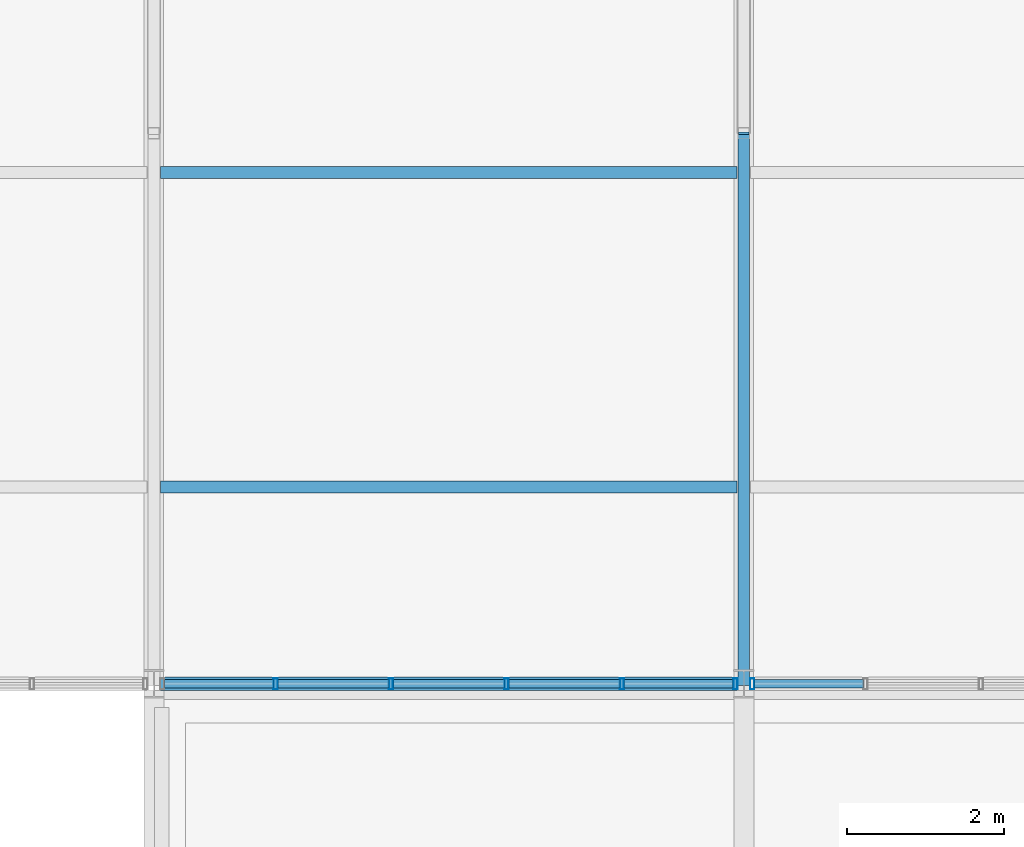
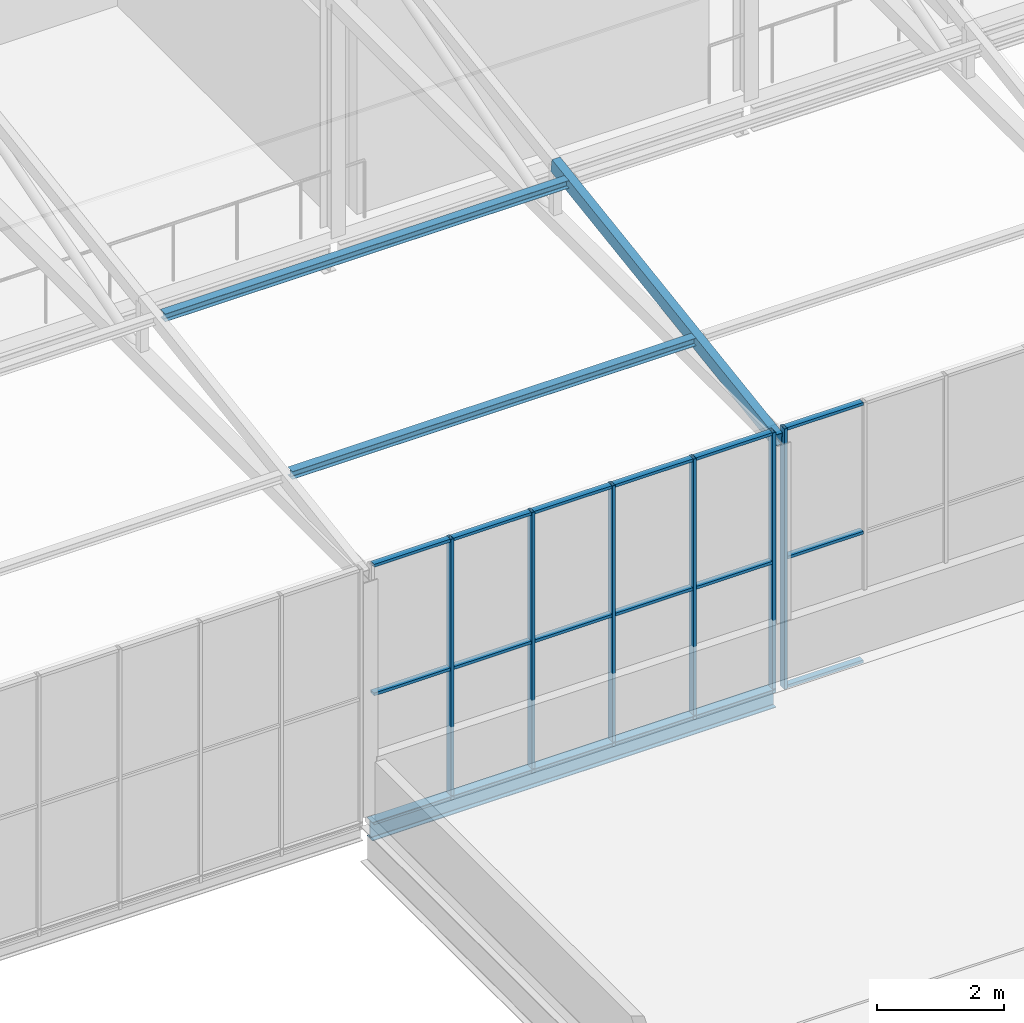
# One storey, part 47 of 104: 25 members, 3 beams, 2 elements without a shape of their own.
"""IFC4 building model written with IfcOpenShell, lengths in metres."""

from ifc_helpers import new_model, si_unit, direction, frame, origin, origin_2d, place, context, subcontext, project, spatial, hollow_rectangle, i_section, extrude, material, layer, layer_set, material_profile, profile_set, type_object, element, aggregate, save


model = new_model("IFC4")

# Units and contexts
model_context = context("Model", 3, precision=1e-05, world=origin(), true_north=direction((0.0, 1.0)))
body_context = subcontext(model_context, "Body", "Model", "MODEL_VIEW")
ifc_project = project(units=[si_unit("LENGTHUNIT", "METRE"), si_unit("AREAUNIT", "SQUARE_METRE"), si_unit("VOLUMEUNIT", "CUBIC_METRE"), si_unit("PLANEANGLEUNIT", "RADIAN"), si_unit("MASSUNIT", "GRAM", prefix="KILO")], contexts=[model_context])

# Site, building, storey
site_placement = place(None, origin())
site = spatial("IfcSite", under=ifc_project, at=site_placement, CompositionType="ELEMENT")
building_placement = place(site_placement, origin())
building = spatial("IfcBuilding", under=site, at=building_placement, Name="Solvenia Promenade Tram Depot", CompositionType="ELEMENT")
storey_placement = place(building_placement, frame((0.0, 0.0, 9.0)))
storey = spatial("IfcBuildingStorey", under=building, at=storey_placement, Name="L02", CompositionType="ELEMENT", Elevation=9.0)

# Curtain wall, members
ifc_material_1 = material(Name="Anodized aluminium AW-6063 T6", Category="aluminium")
ifc_layer = layer(ifc_material_1, 0.080078125, Name="Anodized aluminium AW-6063 T6", Category="aluminium")
ifc_layer_set = layer_set([ifc_layer], Name="Anodized aluminium AW-6063 T6")
curtain_wall_type = type_object("IfcCurtainWallType", Name="CW-Clerest-1500", PredefinedType="NOTDEFINED", material=ifc_layer_set)
curtain_wall_1_placement = place(storey_placement, origin())
curtain_wall_1 = element("IfcCurtainWall", 1, at=curtain_wall_1_placement, inside=storey, type_object=curtain_wall_type, Name="Curtain Wall CW-V2S-L2-05", PredefinedType="NOTDEFINED")
ifc_material_profile_1 = material_profile(ifc_material_1, hollow_rectangle(XDim=0.139892578125, YDim=0.054931640625, WallThickness=0.00390625, at=origin_2d()), Name="ALU-M4", Category="aluminium")
ifc_profile_set_1 = profile_set([ifc_material_profile_1], Name="Anodized aluminium AW-6063 T6")
member_type_1 = type_object("IfcMemberType", Name="CWM-Mullion-4", PredefinedType="MULLION", material=ifc_profile_set_1)
member_1_placement = place(storey_placement, frame((136.548095703125, 24.0, -0.300048828125), z_axis=(0.0, 0.0, 1.0), x_axis=(0.0, 1.0, 0.0)))
member_1 = element("IfcMember", 2, at=member_1_placement, type_object=member_type_1, Name="CW-4 mullion 2", PredefinedType="MULLION", context=body_context, shape_type="SweptSolid", body=[
    extrude(hollow_rectangle(XDim=0.139892578125, YDim=0.054931640625, WallThickness=0.00390625, at=origin_2d()), origin(), (0.0, 0.0, 1.0), 5.0),
])
member_2_placement = place(storey_placement, frame((138.01611328125, 24.0, -0.300048828125), z_axis=(0.0, 0.0, 1.0), x_axis=(0.0, 1.0, 0.0)))
member_2 = element("IfcMember", 3, at=member_2_placement, type_object=member_type_1, Name="CW-4 mullion 3", PredefinedType="MULLION", context=body_context, shape_type="SweptSolid", body=[
    extrude(hollow_rectangle(XDim=0.139892578125, YDim=0.054931640625, WallThickness=0.00390625, at=origin_2d()), origin(), (0.0, 0.0, 1.0), 5.0),
])
member_3_placement = place(storey_placement, frame((139.48388671875, 24.0, -0.300048828125), z_axis=(0.0, 0.0, 1.0), x_axis=(0.0, 1.0, 0.0)))
member_3 = element("IfcMember", 4, at=member_3_placement, type_object=member_type_1, Name="CW-4 mullion 4", PredefinedType="MULLION", context=body_context, shape_type="SweptSolid", body=[
    extrude(hollow_rectangle(XDim=0.139892578125, YDim=0.054931640625, WallThickness=0.00390625, at=origin_2d()), origin(), (0.0, 0.0, 1.0), 5.0),
])
member_4_placement = place(storey_placement, frame((140.951904296875, 24.0, -0.300048828125), z_axis=(0.0, 0.0, 1.0), x_axis=(0.0, 1.0, 0.0)))
member_4 = element("IfcMember", 5, at=member_4_placement, type_object=member_type_1, Name="CW-4 mullion 5", PredefinedType="MULLION", context=body_context, shape_type="SweptSolid", body=[
    extrude(hollow_rectangle(XDim=0.139892578125, YDim=0.054931640625, WallThickness=0.00390625, at=origin_2d()), origin(), (0.0, 0.0, 1.0), 5.0),
])
member_5_placement = place(storey_placement, frame((142.392578125, 24.0, -0.300048828125), z_axis=(0.0, 0.0, 1.0), x_axis=(0.0, 1.0, 0.0)))
member_5 = element("IfcMember", 6, at=member_5_placement, type_object=member_type_1, Name="CW-4 mullion 6", PredefinedType="MULLION", context=body_context, shape_type="SweptSolid", body=[
    extrude(hollow_rectangle(XDim=0.139892578125, YDim=0.054931640625, WallThickness=0.00390625, at=origin_2d()), origin(), (0.0, 0.0, 1.0), 5.0),
])

# Curtain wall, member
curtain_wall_2_placement = place(storey_placement, origin())
curtain_wall_2 = element("IfcCurtainWall", 7, at=curtain_wall_2_placement, inside=storey, type_object=curtain_wall_type, Name="Curtain Wall CW-V2S-L2-06", PredefinedType="NOTDEFINED")
member_6_placement = place(storey_placement, frame((142.607421875, 24.0, -0.300048828125), z_axis=(0.0, 0.0, 1.0), x_axis=(0.0, 1.0, 0.0)))
member_6 = element("IfcMember", 8, at=member_6_placement, type_object=member_type_1, Name="CW-4 mullion 1", PredefinedType="MULLION", context=body_context, shape_type="SweptSolid", body=[
    extrude(hollow_rectangle(XDim=0.139892578125, YDim=0.054931640625, WallThickness=0.00390625, at=origin_2d()), origin(), (0.0, 0.0, 1.0), 5.0),
])

# Member
ifc_material_profile_2 = material_profile(ifc_material_1, hollow_rectangle(XDim=0.110107421875, YDim=0.054931640625, WallThickness=0.00390625, at=origin_2d()), Name="ALU-T4", Category="aluminium")
ifc_profile_set_2 = profile_set([ifc_material_profile_2], Name="Anodized aluminium AW-6063 T6")
member_type_2 = type_object("IfcMemberType", Name="CWT-Transom-4", PredefinedType="USERDEFINED", material=ifc_profile_set_2)
member_7_placement = place(storey_placement, frame((135.135009765625, 24.0, -0.2724609375), z_axis=(1.0, 0.0, 0.0), x_axis=(0.0, 1.0, 0.0)))
member_7 = element("IfcMember", 9, at=member_7_placement, type_object=member_type_2, Name="CW-4 transom 1.1", ObjectType="TRANSOM", PredefinedType="USERDEFINED", context=body_context, shape_type="SweptSolid", body=[
    extrude(hollow_rectangle(XDim=0.110107421875, YDim=0.054931640625, WallThickness=0.00390625, at=origin_2d()), origin(), (0.0, 0.0, 1.0), 1.385498046875),
])

member_8_placement = place(storey_placement, frame((135.135009765625, 24.0, 2.199951171875), z_axis=(1.0, 0.0, 0.0), x_axis=(0.0, 1.0, 0.0)))
member_8 = element("IfcMember", 10, at=member_8_placement, type_object=member_type_2, Name="CW-4 transom 1.2", ObjectType="TRANSOM", PredefinedType="USERDEFINED", context=body_context, shape_type="SweptSolid", body=[
    extrude(hollow_rectangle(XDim=0.110107421875, YDim=0.054931640625, WallThickness=0.00390625, at=origin_2d()), origin(), (0.0, 0.0, 1.0), 1.385498046875),
])

member_9_placement = place(storey_placement, frame((135.135009765625, 24.0, 4.672607421875), z_axis=(1.0, 0.0, 0.0), x_axis=(0.0, 1.0, 0.0)))
member_9 = element("IfcMember", 11, at=member_9_placement, type_object=member_type_2, Name="CW-4 transom 1.3", ObjectType="TRANSOM", PredefinedType="USERDEFINED", context=body_context, shape_type="SweptSolid", body=[
    extrude(hollow_rectangle(XDim=0.110107421875, YDim=0.054931640625, WallThickness=0.00390625, at=origin_2d()), origin(), (0.0, 0.0, 1.0), 1.385498046875),
])

member_10_placement = place(storey_placement, frame((136.575439453125, 24.0, -0.2724609375), z_axis=(1.0, 0.0, 0.0), x_axis=(0.0, 1.0, 0.0)))
member_10 = element("IfcMember", 12, at=member_10_placement, type_object=member_type_2, Name="CW-4 transom 2.1", ObjectType="TRANSOM", PredefinedType="USERDEFINED", context=body_context, shape_type="SweptSolid", body=[
    extrude(hollow_rectangle(XDim=0.110107421875, YDim=0.054931640625, WallThickness=0.00390625, at=origin_2d()), origin(), (0.0, 0.0, 1.0), 1.4130859375),
])

member_11_placement = place(storey_placement, frame((136.575439453125, 24.0, 2.199951171875), z_axis=(1.0, 0.0, 0.0), x_axis=(0.0, 1.0, 0.0)))
member_11 = element("IfcMember", 13, at=member_11_placement, type_object=member_type_2, Name="CW-4 transom 2.2", ObjectType="TRANSOM", PredefinedType="USERDEFINED", context=body_context, shape_type="SweptSolid", body=[
    extrude(hollow_rectangle(XDim=0.110107421875, YDim=0.054931640625, WallThickness=0.00390625, at=origin_2d()), origin(), (0.0, 0.0, 1.0), 1.4130859375),
])

member_12_placement = place(storey_placement, frame((136.575439453125, 24.0, 4.672607421875), z_axis=(1.0, 0.0, 0.0), x_axis=(0.0, 1.0, 0.0)))
member_12 = element("IfcMember", 14, at=member_12_placement, type_object=member_type_2, Name="CW-4 transom 2.3", ObjectType="TRANSOM", PredefinedType="USERDEFINED", context=body_context, shape_type="SweptSolid", body=[
    extrude(hollow_rectangle(XDim=0.110107421875, YDim=0.054931640625, WallThickness=0.00390625, at=origin_2d()), origin(), (0.0, 0.0, 1.0), 1.4130859375),
])

member_13_placement = place(storey_placement, frame((138.04345703125, 24.0, -0.2724609375), z_axis=(1.0, 0.0, 0.0), x_axis=(0.0, 1.0, 0.0)))
member_13 = element("IfcMember", 15, at=member_13_placement, type_object=member_type_2, Name="CW-4 transom 3.1", ObjectType="TRANSOM", PredefinedType="USERDEFINED", context=body_context, shape_type="SweptSolid", body=[
    extrude(hollow_rectangle(XDim=0.110107421875, YDim=0.054931640625, WallThickness=0.00390625, at=origin_2d()), origin(), (0.0, 0.0, 1.0), 1.4130859375),
])

member_14_placement = place(storey_placement, frame((138.04345703125, 24.0, 2.199951171875), z_axis=(1.0, 0.0, 0.0), x_axis=(0.0, 1.0, 0.0)))
member_14 = element("IfcMember", 16, at=member_14_placement, type_object=member_type_2, Name="CW-4 transom 3.2", ObjectType="TRANSOM", PredefinedType="USERDEFINED", context=body_context, shape_type="SweptSolid", body=[
    extrude(hollow_rectangle(XDim=0.110107421875, YDim=0.054931640625, WallThickness=0.00390625, at=origin_2d()), origin(), (0.0, 0.0, 1.0), 1.4130859375),
])

member_15_placement = place(storey_placement, frame((138.04345703125, 24.0, 4.672607421875), z_axis=(1.0, 0.0, 0.0), x_axis=(0.0, 1.0, 0.0)))
member_15 = element("IfcMember", 17, at=member_15_placement, type_object=member_type_2, Name="CW-4 transom 3.3", ObjectType="TRANSOM", PredefinedType="USERDEFINED", context=body_context, shape_type="SweptSolid", body=[
    extrude(hollow_rectangle(XDim=0.110107421875, YDim=0.054931640625, WallThickness=0.00390625, at=origin_2d()), origin(), (0.0, 0.0, 1.0), 1.4130859375),
])

member_16_placement = place(storey_placement, frame((139.511474609375, 24.0, -0.2724609375), z_axis=(1.0, 0.0, 0.0), x_axis=(0.0, 1.0, 0.0)))
member_16 = element("IfcMember", 18, at=member_16_placement, type_object=member_type_2, Name="CW-4 transom 4.1", ObjectType="TRANSOM", PredefinedType="USERDEFINED", context=body_context, shape_type="SweptSolid", body=[
    extrude(hollow_rectangle(XDim=0.110107421875, YDim=0.054931640625, WallThickness=0.00390625, at=origin_2d()), origin(), (0.0, 0.0, 1.0), 1.4130859375),
])

member_17_placement = place(storey_placement, frame((139.511474609375, 24.0, 2.199951171875), z_axis=(1.0, 0.0, 0.0), x_axis=(0.0, 1.0, 0.0)))
member_17 = element("IfcMember", 19, at=member_17_placement, type_object=member_type_2, Name="CW-4 transom 4.2", ObjectType="TRANSOM", PredefinedType="USERDEFINED", context=body_context, shape_type="SweptSolid", body=[
    extrude(hollow_rectangle(XDim=0.110107421875, YDim=0.054931640625, WallThickness=0.00390625, at=origin_2d()), origin(), (0.0, 0.0, 1.0), 1.4130859375),
])

member_18_placement = place(storey_placement, frame((139.511474609375, 24.0, 4.672607421875), z_axis=(1.0, 0.0, 0.0), x_axis=(0.0, 1.0, 0.0)))
member_18 = element("IfcMember", 20, at=member_18_placement, type_object=member_type_2, Name="CW-4 transom 4.3", ObjectType="TRANSOM", PredefinedType="USERDEFINED", context=body_context, shape_type="SweptSolid", body=[
    extrude(hollow_rectangle(XDim=0.110107421875, YDim=0.054931640625, WallThickness=0.00390625, at=origin_2d()), origin(), (0.0, 0.0, 1.0), 1.4130859375),
])

member_19_placement = place(storey_placement, frame((140.9794921875, 24.0, -0.2724609375), z_axis=(1.0, 0.0, 0.0), x_axis=(0.0, 1.0, 0.0)))
member_19 = element("IfcMember", 21, at=member_19_placement, type_object=member_type_2, Name="CW-4 transom 5.1", ObjectType="TRANSOM", PredefinedType="USERDEFINED", context=body_context, shape_type="SweptSolid", body=[
    extrude(hollow_rectangle(XDim=0.110107421875, YDim=0.054931640625, WallThickness=0.00390625, at=origin_2d()), origin(), (0.0, 0.0, 1.0), 1.385498046875),
])

member_20_placement = place(storey_placement, frame((140.9794921875, 24.0, 2.199951171875), z_axis=(1.0, 0.0, 0.0), x_axis=(0.0, 1.0, 0.0)))
member_20 = element("IfcMember", 22, at=member_20_placement, type_object=member_type_2, Name="CW-4 transom 5.2", ObjectType="TRANSOM", PredefinedType="USERDEFINED", context=body_context, shape_type="SweptSolid", body=[
    extrude(hollow_rectangle(XDim=0.110107421875, YDim=0.054931640625, WallThickness=0.00390625, at=origin_2d()), origin(), (0.0, 0.0, 1.0), 1.385498046875),
])

member_21_placement = place(storey_placement, frame((140.9794921875, 24.0, 4.672607421875), z_axis=(1.0, 0.0, 0.0), x_axis=(0.0, 1.0, 0.0)))
member_21 = element("IfcMember", 23, at=member_21_placement, type_object=member_type_2, Name="CW-4 transom 5.3", ObjectType="TRANSOM", PredefinedType="USERDEFINED", context=body_context, shape_type="SweptSolid", body=[
    extrude(hollow_rectangle(XDim=0.110107421875, YDim=0.054931640625, WallThickness=0.00390625, at=origin_2d()), origin(), (0.0, 0.0, 1.0), 1.385498046875),
])

aggregate(curtain_wall_1, [member_1, member_2, member_3, member_4, member_5, member_7, member_8, member_9, member_10, member_11, member_12, member_13, member_14, member_15, member_16, member_17, member_18, member_19, member_20, member_21])

member_22_placement = place(storey_placement, frame((142.635009765625, 24.0, -0.2724609375), z_axis=(1.0, 0.0, 0.0), x_axis=(0.0, 1.0, 0.0)))
member_22 = element("IfcMember", 24, at=member_22_placement, type_object=member_type_2, Name="CW-4 transom 1.1", ObjectType="TRANSOM", PredefinedType="USERDEFINED", context=body_context, shape_type="SweptSolid", body=[
    extrude(hollow_rectangle(XDim=0.110107421875, YDim=0.054931640625, WallThickness=0.00390625, at=origin_2d()), origin(), (0.0, 0.0, 1.0), 1.385498046875),
])

member_23_placement = place(storey_placement, frame((142.635009765625, 24.0, 2.199951171875), z_axis=(1.0, 0.0, 0.0), x_axis=(0.0, 1.0, 0.0)))
member_23 = element("IfcMember", 25, at=member_23_placement, type_object=member_type_2, Name="CW-4 transom 1.2", ObjectType="TRANSOM", PredefinedType="USERDEFINED", context=body_context, shape_type="SweptSolid", body=[
    extrude(hollow_rectangle(XDim=0.110107421875, YDim=0.054931640625, WallThickness=0.00390625, at=origin_2d()), origin(), (0.0, 0.0, 1.0), 1.385498046875),
])

member_24_placement = place(storey_placement, frame((142.635009765625, 24.0, 4.672607421875), z_axis=(1.0, 0.0, 0.0), x_axis=(0.0, 1.0, 0.0)))
member_24 = element("IfcMember", 26, at=member_24_placement, type_object=member_type_2, Name="CW-4 transom 1.3", ObjectType="TRANSOM", PredefinedType="USERDEFINED", context=body_context, shape_type="SweptSolid", body=[
    extrude(hollow_rectangle(XDim=0.110107421875, YDim=0.054931640625, WallThickness=0.00390625, at=origin_2d()), origin(), (0.0, 0.0, 1.0), 1.385498046875),
])

aggregate(curtain_wall_2, [member_6, member_22, member_23, member_24])

ifc_material_2 = material(Name="Structural steel ASTM A500 Gr. C", Category="steel")
ifc_material_profile_3 = material_profile(ifc_material_2, hollow_rectangle(XDim=0.14990234375, YDim=0.25, WallThickness=0.010009765625, at=origin_2d()), Name="HSS250x150x10", Category="steel")
ifc_profile_set_3 = profile_set([ifc_material_profile_3], Name="Structural steel ASTM A500 Gr. C")
member_type_3 = type_object("IfcMemberType", Name="Chord-HSS250x150x10", PredefinedType="CHORD", material=ifc_profile_set_3)
member_25_placement = place(storey_placement, frame((142.5, 24.0, 4.47998046875), z_axis=(0.0, 0.988935340875, 0.148347199397), x_axis=(-1.0, 0.0, 0.0)))
element("IfcMember", 27, at=member_25_placement, inside=storey, type_object=member_type_3, Name="Crane Hall Clerestory Rafter 06S", PredefinedType="CHORD", context=body_context, shape_type="SweptSolid", body=[
    extrude(hollow_rectangle(XDim=0.14990234375, YDim=0.25, WallThickness=0.010009765625, at=origin_2d()), origin(), (0.0, 0.0, 1.0), 7.078369140625),
])

# Beams
ifc_material_3 = material(Name="Structural steel ASTM A992 Gr. 50", Category="steel")
ifc_material_profile_4 = material_profile(ifc_material_3, i_section(OverallWidth=0.152099609375, OverallDepth=0.152099609375, WebThickness=0.005859375, FlangeThickness=0.006591796875, FilletRadius=0.008056640625, at=origin_2d()), Name="W150x22", Category="steel")
ifc_profile_set_4 = profile_set([ifc_material_profile_4], Name="Structural steel ASTM A992 Gr. 50")
beam_type_1 = type_object("IfcBeamType", Name="Purlin-W150x22", PredefinedType="USERDEFINED", material=ifc_profile_set_4)
for number, where, z_axis, x_axis, name in (
    (28, (135.0849609375, 26.5, 4.919921875), (1.0, 0.0, 0.0), (0.0, 1.0, 0.0), "Clerestory Purlin 0209"),
    (29, (135.0849609375, 30.5, 5.52001953125), (1.0, 0.0, 0.0), (0.0, 1.0, 0.0), "Clerestory Purlin 0210"),
):
    element("IfcBeam", number, at=place(storey_placement, frame(where, z_axis=z_axis, x_axis=x_axis)), inside=storey, type_object=beam_type_1, Name=name, ObjectType="PURLIN", PredefinedType="USERDEFINED", context=body_context, shape_type="SweptSolid", body=[
        extrude(i_section(OverallWidth=0.152099609375, OverallDepth=0.152099609375, WebThickness=0.005859375, FlangeThickness=0.006591796875, FilletRadius=0.008056640625, at=origin_2d()), origin(), (0.0, 0.0, 1.0), 7.330078125),
    ])
ifc_material_profile_5 = material_profile(ifc_material_3, i_section(OverallWidth=0.172119140625, OverallDepth=0.35791015625, WebThickness=0.0078125, FlangeThickness=0.01318359375, FilletRadius=0.010986328125, at=origin_2d()), Name="W360x57", Category="steel")
ifc_profile_set_5 = profile_set([ifc_material_profile_5], Name="Structural steel ASTM A992 Gr. 50")
beam_type_2 = type_object("IfcBeamType", Name="Spandrel-W360x57", PredefinedType="SPANDREL", material=ifc_profile_set_5)
beam_placement = place(storey_placement, frame((135.0849609375, 24.0, -0.39892578125), z_axis=(1.0, 0.0, 0.0), x_axis=(0.0, 1.0, 0.0)))
element("IfcBeam", 30, at=beam_placement, inside=storey, type_object=beam_type_2, Name="Perimeter Spandrel BM-L02-0792", PredefinedType="SPANDREL", context=body_context, shape_type="SweptSolid", body=[
    extrude(i_section(OverallWidth=0.172119140625, OverallDepth=0.35791015625, WebThickness=0.0078125, FlangeThickness=0.01318359375, FilletRadius=0.010986328125, at=origin_2d()), origin(), (0.0, 0.0, 1.0), 7.330078125),
])

save(model, "model.ifc")
